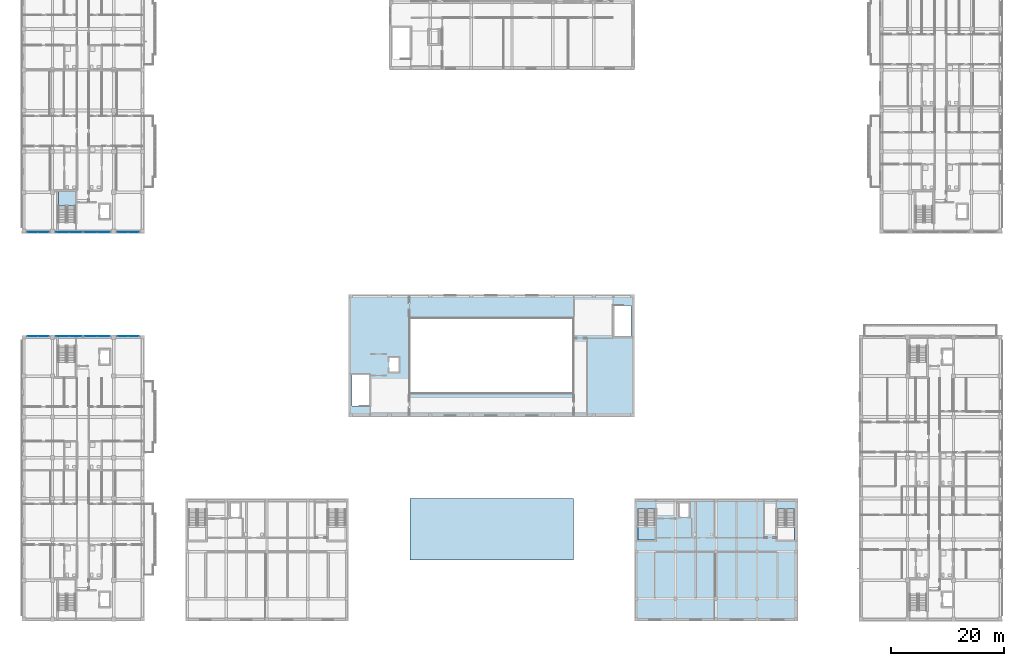
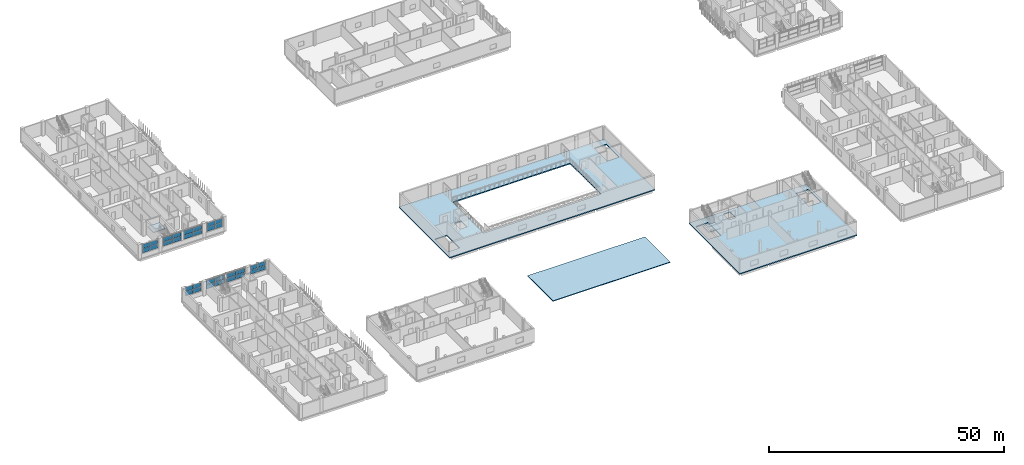
# One storey, part 29 of 73: 32 plates, 5 slabs, 10 elements without a shape of their own.
"""IFC4 building model written with IfcOpenShell, lengths in metres."""

from ifc_helpers import new_model, si_unit, derived_unit, direction, frame, origin, origin_2d, place, context, subcontext, project, spatial, polyline, rectangle, outline, extrude, material, layer, layer_set, type_object, element, aggregate, save


model = new_model("IFC4")

# Units and contexts
model_context = context("Model", 3, precision=1e-05, world=origin(), true_north=direction((0.0, 1.0)))
body_context = subcontext(model_context, "Body", "Model", "MODEL_VIEW")
ifc_project = project(units=[si_unit("LENGTHUNIT", "METRE"), si_unit("AREAUNIT", "SQUARE_METRE"), si_unit("VOLUMEUNIT", "CUBIC_METRE"), si_unit("PLANEANGLEUNIT", "RADIAN"), si_unit("MASSUNIT", "GRAM", prefix="KILO"), derived_unit("THERMALTRANSMITTANCEUNIT", [(si_unit("MASSUNIT", "GRAM", prefix="KILO"), 1), (si_unit("TIMEUNIT", "SECOND"), -3), (si_unit("THERMODYNAMICTEMPERATUREUNIT", "KELVIN"), -1)])], contexts=[model_context])

# Site, building, storey
site_placement = place(None, origin())
site = spatial("IfcSite", under=ifc_project, at=site_placement, CompositionType="ELEMENT")
building_placement = place(site_placement, origin())
building = spatial("IfcBuilding", under=site, at=building_placement, Name="Ochrekiln Boulevard Commons", CompositionType="ELEMENT")
storey_placement = place(building_placement, frame((0.0, 0.0, 4.89990234375)))
storey = spatial("IfcBuildingStorey", under=building, at=storey_placement, Name="L01", CompositionType="ELEMENT", Elevation=4.89990234375)

# Curtain wall, plates
ifc_material_1 = material(Name="Bronze-anodized extruded aluminium 6063-T6", Category="aluminium")
ifc_layer_1 = layer(ifc_material_1, 0.172119140625)
ifc_layer_set_1 = layer_set([ifc_layer_1], Name="Bronze-anodized extruded aluminium 6063-T6")
curtain_wall_type = type_object("IfcCurtainWallType", Name="CW-GABLE-A", PredefinedType="USERDEFINED", material=ifc_layer_set_1)
curtain_wall_1_placement = place(storey_placement, origin())
curtain_wall_1 = element("IfcCurtainWall", 1, at=curtain_wall_1_placement, inside=storey, type_object=curtain_wall_type, Name="Block A L01 Courtyard Glazed Gable Curtain Wall 4", ObjectType="GLAZED CURTAIN WALL", PredefinedType="USERDEFINED")
ifc_material_2 = material(Name="Spectrally selective low-E insulated glazing", Category="glass")
ifc_layer_2 = layer(ifc_material_2, 0.02392578125)
ifc_layer_set_2 = layer_set([ifc_layer_2], Name="Spectrally selective low-E insulated glazing")
plate_type_1 = type_object("IfcPlateType", Name="CWP-GLZ-1", PredefinedType="CURTAIN_PANEL", material=ifc_layer_set_2)
plate_1_placement = place(storey_placement, frame((17.788818359375, 68.56005859375, 1.17529296875), z_axis=(0.0, 0.0, 1.0), x_axis=(1.0, 0.0, 0.0)))
plate_1 = element("IfcPlate", 2, at=plate_1_placement, type_object=plate_type_1, Name="CW-01 panel 1.1", PredefinedType="CURTAIN_PANEL", context=body_context, shape_type="SweptSolid", body=[
    extrude(rectangle(XDim=1.8076171875, YDim=0.02392578125, at=origin_2d()), origin(), (0.0, 0.0, 1.0), 1.054443359375),
])
plate_2_placement = place(storey_placement, frame((17.788818359375, 68.56005859375, 2.29443359375), z_axis=(0.0, 0.0, 1.0), x_axis=(1.0, 0.0, 0.0)))
plate_2 = element("IfcPlate", 3, at=plate_2_placement, type_object=plate_type_1, Name="CW-01 panel 1.2", PredefinedType="CURTAIN_PANEL", context=body_context, shape_type="SweptSolid", body=[
    extrude(rectangle(XDim=1.8076171875, YDim=0.02392578125, at=origin_2d()), origin(), (0.0, 0.0, 1.0), 1.055419921875),
])
plate_3_placement = place(storey_placement, frame((19.6611328125, 68.56005859375, 1.17529296875), z_axis=(0.0, 0.0, 1.0), x_axis=(1.0, 0.0, 0.0)))
plate_3 = element("IfcPlate", 4, at=plate_3_placement, type_object=plate_type_1, Name="CW-01 panel 2.1", PredefinedType="CURTAIN_PANEL", context=body_context, shape_type="SweptSolid", body=[
    extrude(rectangle(XDim=1.8076171875, YDim=0.02392578125, at=origin_2d()), origin(), (0.0, 0.0, 1.0), 1.054443359375),
])
plate_4_placement = place(storey_placement, frame((19.6611328125, 68.56005859375, 2.29443359375), z_axis=(0.0, 0.0, 1.0), x_axis=(1.0, 0.0, 0.0)))
plate_4 = element("IfcPlate", 5, at=plate_4_placement, type_object=plate_type_1, Name="CW-01 panel 2.2", PredefinedType="CURTAIN_PANEL", context=body_context, shape_type="SweptSolid", body=[
    extrude(rectangle(XDim=1.8076171875, YDim=0.02392578125, at=origin_2d()), origin(), (0.0, 0.0, 1.0), 1.055419921875),
])
aggregate(curtain_wall_1, [plate_1, plate_2, plate_3, plate_4])

curtain_wall_2_placement = place(storey_placement, origin())
curtain_wall_2 = element("IfcCurtainWall", 6, at=curtain_wall_2_placement, inside=storey, type_object=curtain_wall_type, Name="Block D L01 Courtyard Glazed Gable Curtain Wall 4", ObjectType="GLAZED CURTAIN WALL", PredefinedType="USERDEFINED")
plate_5_placement = place(storey_placement, frame((17.788818359375, 50.217529296875, 1.17529296875), z_axis=(0.0, 0.0, 1.0), x_axis=(1.0, 0.0, 0.0)))
plate_5 = element("IfcPlate", 7, at=plate_5_placement, type_object=plate_type_1, Name="CW-01 panel 1.1", PredefinedType="CURTAIN_PANEL", context=body_context, shape_type="SweptSolid", body=[
    extrude(rectangle(XDim=1.8076171875, YDim=0.02392578125, at=origin_2d()), origin(), (0.0, 0.0, 1.0), 1.054443359375),
])
plate_6_placement = place(storey_placement, frame((17.788818359375, 50.217529296875, 2.29443359375), z_axis=(0.0, 0.0, 1.0), x_axis=(1.0, 0.0, 0.0)))
plate_6 = element("IfcPlate", 8, at=plate_6_placement, type_object=plate_type_1, Name="CW-01 panel 1.2", PredefinedType="CURTAIN_PANEL", context=body_context, shape_type="SweptSolid", body=[
    extrude(rectangle(XDim=1.8076171875, YDim=0.02392578125, at=origin_2d()), origin(), (0.0, 0.0, 1.0), 1.055419921875),
])
plate_7_placement = place(storey_placement, frame((19.6611328125, 50.217529296875, 1.17529296875), z_axis=(0.0, 0.0, 1.0), x_axis=(1.0, 0.0, 0.0)))
plate_7 = element("IfcPlate", 9, at=plate_7_placement, type_object=plate_type_1, Name="CW-01 panel 2.1", PredefinedType="CURTAIN_PANEL", context=body_context, shape_type="SweptSolid", body=[
    extrude(rectangle(XDim=1.8076171875, YDim=0.02392578125, at=origin_2d()), origin(), (0.0, 0.0, 1.0), 1.054443359375),
])
plate_8_placement = place(storey_placement, frame((19.6611328125, 50.217529296875, 2.29443359375), z_axis=(0.0, 0.0, 1.0), x_axis=(1.0, 0.0, 0.0)))
plate_8 = element("IfcPlate", 10, at=plate_8_placement, type_object=plate_type_1, Name="CW-01 panel 2.2", PredefinedType="CURTAIN_PANEL", context=body_context, shape_type="SweptSolid", body=[
    extrude(rectangle(XDim=1.8076171875, YDim=0.02392578125, at=origin_2d()), origin(), (0.0, 0.0, 1.0), 1.055419921875),
])
aggregate(curtain_wall_2, [plate_5, plate_6, plate_7, plate_8])

curtain_wall_3_placement = place(storey_placement, origin())
curtain_wall_3 = element("IfcCurtainWall", 11, at=curtain_wall_3_placement, inside=storey, type_object=curtain_wall_type, Name="Block A L01 Courtyard Glazed Gable Curtain Wall 1", ObjectType="GLAZED CURTAIN WALL", PredefinedType="USERDEFINED")
ifc_layer_3 = layer(ifc_material_2, 0.030029296875)
ifc_layer_set_3 = layer_set([ifc_layer_3], Name="Spectrally selective low-E insulated glazing")
plate_type_2 = type_object("IfcPlateType", Name="CWP-GLZ-2", PredefinedType="CURTAIN_PANEL", material=ifc_layer_set_3)
plate_9_placement = place(storey_placement, frame((1.9375, 68.56005859375, 1.170166015625), z_axis=(0.0, 0.0, 1.0), x_axis=(1.0, 0.0, 0.0)))
plate_9 = element("IfcPlate", 12, at=plate_9_placement, type_object=plate_type_2, Name="CW-01 panel 1.1", PredefinedType="CURTAIN_PANEL", context=body_context, shape_type="SweptSolid", body=[
    extrude(rectangle(XDim=1.81494140625, YDim=0.030029296875, at=origin_2d()), origin(), (0.0, 0.0, 1.0), 1.06201171875),
])
plate_10_placement = place(storey_placement, frame((1.9375, 68.56005859375, 2.2919921875), z_axis=(0.0, 0.0, 1.0), x_axis=(1.0, 0.0, 0.0)))
plate_10 = element("IfcPlate", 13, at=plate_10_placement, type_object=plate_type_2, Name="CW-01 panel 1.2", PredefinedType="CURTAIN_PANEL", context=body_context, shape_type="SweptSolid", body=[
    extrude(rectangle(XDim=1.81494140625, YDim=0.030029296875, at=origin_2d()), origin(), (0.0, 0.0, 1.0), 1.06298828125),
])
plate_11_placement = place(storey_placement, frame((3.8125, 68.56005859375, 1.170166015625), z_axis=(0.0, 0.0, 1.0), x_axis=(1.0, 0.0, 0.0)))
plate_11 = element("IfcPlate", 14, at=plate_11_placement, type_object=plate_type_2, Name="CW-01 panel 2.1", PredefinedType="CURTAIN_PANEL", context=body_context, shape_type="SweptSolid", body=[
    extrude(rectangle(XDim=1.81494140625, YDim=0.030029296875, at=origin_2d()), origin(), (0.0, 0.0, 1.0), 1.06201171875),
])
plate_12_placement = place(storey_placement, frame((3.8125, 68.56005859375, 2.2919921875), z_axis=(0.0, 0.0, 1.0), x_axis=(1.0, 0.0, 0.0)))
plate_12 = element("IfcPlate", 15, at=plate_12_placement, type_object=plate_type_2, Name="CW-01 panel 2.2", PredefinedType="CURTAIN_PANEL", context=body_context, shape_type="SweptSolid", body=[
    extrude(rectangle(XDim=1.81494140625, YDim=0.030029296875, at=origin_2d()), origin(), (0.0, 0.0, 1.0), 1.06298828125),
])
aggregate(curtain_wall_3, [plate_9, plate_10, plate_11, plate_12])

curtain_wall_4_placement = place(storey_placement, origin())
curtain_wall_4 = element("IfcCurtainWall", 16, at=curtain_wall_4_placement, inside=storey, type_object=curtain_wall_type, Name="Block D L01 Courtyard Glazed Gable Curtain Wall 1", ObjectType="GLAZED CURTAIN WALL", PredefinedType="USERDEFINED")
plate_13_placement = place(storey_placement, frame((1.938720703125, 50.217529296875, 1.17529296875), z_axis=(0.0, 0.0, 1.0), x_axis=(1.0, 0.0, 0.0)))
plate_13 = element("IfcPlate", 17, at=plate_13_placement, type_object=plate_type_2, Name="CW-01 panel 1.1", PredefinedType="CURTAIN_PANEL", context=body_context, shape_type="SweptSolid", body=[
    extrude(rectangle(XDim=1.8076171875, YDim=0.030029296875, at=origin_2d()), origin(), (0.0, 0.0, 1.0), 1.054443359375),
])
plate_14_placement = place(storey_placement, frame((1.938720703125, 50.217529296875, 2.29443359375), z_axis=(0.0, 0.0, 1.0), x_axis=(1.0, 0.0, 0.0)))
plate_14 = element("IfcPlate", 18, at=plate_14_placement, type_object=plate_type_2, Name="CW-01 panel 1.2", PredefinedType="CURTAIN_PANEL", context=body_context, shape_type="SweptSolid", body=[
    extrude(rectangle(XDim=1.8076171875, YDim=0.030029296875, at=origin_2d()), origin(), (0.0, 0.0, 1.0), 1.055419921875),
])
plate_15_placement = place(storey_placement, frame((3.811279296875, 50.217529296875, 1.17529296875), z_axis=(0.0, 0.0, 1.0), x_axis=(1.0, 0.0, 0.0)))
plate_15 = element("IfcPlate", 19, at=plate_15_placement, type_object=plate_type_2, Name="CW-01 panel 2.1", PredefinedType="CURTAIN_PANEL", context=body_context, shape_type="SweptSolid", body=[
    extrude(rectangle(XDim=1.8076171875, YDim=0.030029296875, at=origin_2d()), origin(), (0.0, 0.0, 1.0), 1.054443359375),
])
plate_16_placement = place(storey_placement, frame((3.811279296875, 50.217529296875, 2.29443359375), z_axis=(0.0, 0.0, 1.0), x_axis=(1.0, 0.0, 0.0)))
plate_16 = element("IfcPlate", 20, at=plate_16_placement, type_object=plate_type_2, Name="CW-01 panel 2.2", PredefinedType="CURTAIN_PANEL", context=body_context, shape_type="SweptSolid", body=[
    extrude(rectangle(XDim=1.8076171875, YDim=0.030029296875, at=origin_2d()), origin(), (0.0, 0.0, 1.0), 1.055419921875),
])
aggregate(curtain_wall_4, [plate_13, plate_14, plate_15, plate_16])

curtain_wall_5_placement = place(storey_placement, origin())
curtain_wall_5 = element("IfcCurtainWall", 21, at=curtain_wall_5_placement, inside=storey, type_object=curtain_wall_type, Name="Block A L01 Courtyard Glazed Gable Curtain Wall 2", ObjectType="GLAZED CURTAIN WALL", PredefinedType="USERDEFINED")
ifc_layer_4 = layer(ifc_material_2, 0.035888671875)
ifc_layer_set_4 = layer_set([ifc_layer_4], Name="Spectrally selective low-E insulated glazing")
plate_type_3 = type_object("IfcPlateType", Name="CWP-GLZ-3", PredefinedType="CURTAIN_PANEL", material=ifc_layer_set_4)
plate_17_placement = place(storey_placement, frame((7.18115234375, 68.56005859375, 1.17529296875), z_axis=(0.0, 0.0, 1.0), x_axis=(1.0, 0.0, 0.0)))
plate_17 = element("IfcPlate", 22, at=plate_17_placement, type_object=plate_type_3, Name="CW-01 panel 1.1", PredefinedType="CURTAIN_PANEL", context=body_context, shape_type="SweptSolid", body=[
    extrude(rectangle(XDim=2.1923828125, YDim=0.035888671875, at=origin_2d()), origin(), (0.0, 0.0, 1.0), 1.054443359375),
])
plate_18_placement = place(storey_placement, frame((7.18115234375, 68.56005859375, 2.29443359375), z_axis=(0.0, 0.0, 1.0), x_axis=(1.0, 0.0, 0.0)))
plate_18 = element("IfcPlate", 23, at=plate_18_placement, type_object=plate_type_3, Name="CW-01 panel 1.2", PredefinedType="CURTAIN_PANEL", context=body_context, shape_type="SweptSolid", body=[
    extrude(rectangle(XDim=2.1923828125, YDim=0.035888671875, at=origin_2d()), origin(), (0.0, 0.0, 1.0), 1.055419921875),
])
plate_19_placement = place(storey_placement, frame((9.438720703125, 68.56005859375, 1.17529296875), z_axis=(0.0, 0.0, 1.0), x_axis=(1.0, 0.0, 0.0)))
plate_19 = element("IfcPlate", 24, at=plate_19_placement, type_object=plate_type_3, Name="CW-01 panel 2.1", PredefinedType="CURTAIN_PANEL", context=body_context, shape_type="SweptSolid", body=[
    extrude(rectangle(XDim=2.1923828125, YDim=0.035888671875, at=origin_2d()), origin(), (0.0, 0.0, 1.0), 1.054443359375),
])
plate_20_placement = place(storey_placement, frame((9.438720703125, 68.56005859375, 2.29443359375), z_axis=(0.0, 0.0, 1.0), x_axis=(1.0, 0.0, 0.0)))
plate_20 = element("IfcPlate", 25, at=plate_20_placement, type_object=plate_type_3, Name="CW-01 panel 2.2", PredefinedType="CURTAIN_PANEL", context=body_context, shape_type="SweptSolid", body=[
    extrude(rectangle(XDim=2.1923828125, YDim=0.035888671875, at=origin_2d()), origin(), (0.0, 0.0, 1.0), 1.055419921875),
])
aggregate(curtain_wall_5, [plate_17, plate_18, plate_19, plate_20])

curtain_wall_6_placement = place(storey_placement, origin())
curtain_wall_6 = element("IfcCurtainWall", 26, at=curtain_wall_6_placement, inside=storey, type_object=curtain_wall_type, Name="Block D L01 Courtyard Glazed Gable Curtain Wall 2", ObjectType="GLAZED CURTAIN WALL", PredefinedType="USERDEFINED")
plate_21_placement = place(storey_placement, frame((7.18115234375, 50.217529296875, 1.17529296875), z_axis=(0.0, 0.0, 1.0), x_axis=(1.0, 0.0, 0.0)))
plate_21 = element("IfcPlate", 27, at=plate_21_placement, type_object=plate_type_3, Name="CW-01 panel 1.1", PredefinedType="CURTAIN_PANEL", context=body_context, shape_type="SweptSolid", body=[
    extrude(rectangle(XDim=2.1923828125, YDim=0.035888671875, at=origin_2d()), origin(), (0.0, 0.0, 1.0), 1.054443359375),
])
plate_22_placement = place(storey_placement, frame((7.18115234375, 50.217529296875, 2.29443359375), z_axis=(0.0, 0.0, 1.0), x_axis=(1.0, 0.0, 0.0)))
plate_22 = element("IfcPlate", 28, at=plate_22_placement, type_object=plate_type_3, Name="CW-01 panel 1.2", PredefinedType="CURTAIN_PANEL", context=body_context, shape_type="SweptSolid", body=[
    extrude(rectangle(XDim=2.1923828125, YDim=0.035888671875, at=origin_2d()), origin(), (0.0, 0.0, 1.0), 1.055419921875),
])
plate_23_placement = place(storey_placement, frame((9.438720703125, 50.217529296875, 1.17529296875), z_axis=(0.0, 0.0, 1.0), x_axis=(1.0, 0.0, 0.0)))
plate_23 = element("IfcPlate", 29, at=plate_23_placement, type_object=plate_type_3, Name="CW-01 panel 2.1", PredefinedType="CURTAIN_PANEL", context=body_context, shape_type="SweptSolid", body=[
    extrude(rectangle(XDim=2.1923828125, YDim=0.035888671875, at=origin_2d()), origin(), (0.0, 0.0, 1.0), 1.054443359375),
])
plate_24_placement = place(storey_placement, frame((9.438720703125, 50.217529296875, 2.29443359375), z_axis=(0.0, 0.0, 1.0), x_axis=(1.0, 0.0, 0.0)))
plate_24 = element("IfcPlate", 30, at=plate_24_placement, type_object=plate_type_3, Name="CW-01 panel 2.2", PredefinedType="CURTAIN_PANEL", context=body_context, shape_type="SweptSolid", body=[
    extrude(rectangle(XDim=2.1923828125, YDim=0.035888671875, at=origin_2d()), origin(), (0.0, 0.0, 1.0), 1.055419921875),
])
aggregate(curtain_wall_6, [plate_21, plate_22, plate_23, plate_24])

curtain_wall_7_placement = place(storey_placement, origin())
curtain_wall_7 = element("IfcCurtainWall", 31, at=curtain_wall_7_placement, inside=storey, type_object=curtain_wall_type, Name="Block A L01 Courtyard Glazed Gable Curtain Wall 3", ObjectType="GLAZED CURTAIN WALL", PredefinedType="USERDEFINED")
ifc_layer_5 = layer(ifc_material_2, 0.0419921875)
ifc_layer_set_5 = layer_set([ifc_layer_5], Name="Spectrally selective low-E insulated glazing")
plate_type_4 = type_object("IfcPlateType", Name="CWP-GLZ-4", PredefinedType="CURTAIN_PANEL", material=ifc_layer_set_5)
plate_25_placement = place(storey_placement, frame((12.159912109375, 68.56005859375, 1.170166015625), z_axis=(0.0, 0.0, 1.0), x_axis=(1.0, 0.0, 0.0)))
plate_25 = element("IfcPlate", 32, at=plate_25_placement, type_object=plate_type_4, Name="CW-01 panel 1.1", PredefinedType="CURTAIN_PANEL", context=body_context, shape_type="SweptSolid", body=[
    extrude(rectangle(XDim=2.199951171875, YDim=0.0419921875, at=origin_2d()), origin(), (0.0, 0.0, 1.0), 1.06201171875),
])
plate_26_placement = place(storey_placement, frame((12.159912109375, 68.56005859375, 2.2919921875), z_axis=(0.0, 0.0, 1.0), x_axis=(1.0, 0.0, 0.0)))
plate_26 = element("IfcPlate", 33, at=plate_26_placement, type_object=plate_type_4, Name="CW-01 panel 1.2", PredefinedType="CURTAIN_PANEL", context=body_context, shape_type="SweptSolid", body=[
    extrude(rectangle(XDim=2.199951171875, YDim=0.0419921875, at=origin_2d()), origin(), (0.0, 0.0, 1.0), 1.06298828125),
])
plate_27_placement = place(storey_placement, frame((14.419921875, 68.56005859375, 1.170166015625), z_axis=(0.0, 0.0, 1.0), x_axis=(1.0, 0.0, 0.0)))
plate_27 = element("IfcPlate", 34, at=plate_27_placement, type_object=plate_type_4, Name="CW-01 panel 2.1", PredefinedType="CURTAIN_PANEL", context=body_context, shape_type="SweptSolid", body=[
    extrude(rectangle(XDim=2.199951171875, YDim=0.0419921875, at=origin_2d()), origin(), (0.0, 0.0, 1.0), 1.06201171875),
])
plate_28_placement = place(storey_placement, frame((14.419921875, 68.56005859375, 2.2919921875), z_axis=(0.0, 0.0, 1.0), x_axis=(1.0, 0.0, 0.0)))
plate_28 = element("IfcPlate", 35, at=plate_28_placement, type_object=plate_type_4, Name="CW-01 panel 2.2", PredefinedType="CURTAIN_PANEL", context=body_context, shape_type="SweptSolid", body=[
    extrude(rectangle(XDim=2.199951171875, YDim=0.0419921875, at=origin_2d()), origin(), (0.0, 0.0, 1.0), 1.06298828125),
])
aggregate(curtain_wall_7, [plate_25, plate_26, plate_27, plate_28])

curtain_wall_8_placement = place(storey_placement, origin())
curtain_wall_8 = element("IfcCurtainWall", 36, at=curtain_wall_8_placement, inside=storey, type_object=curtain_wall_type, Name="Block D L01 Courtyard Glazed Gable Curtain Wall 3", ObjectType="GLAZED CURTAIN WALL", PredefinedType="USERDEFINED")
plate_29_placement = place(storey_placement, frame((12.1611328125, 50.217529296875, 1.17529296875), z_axis=(0.0, 0.0, 1.0), x_axis=(1.0, 0.0, 0.0)))
plate_29 = element("IfcPlate", 37, at=plate_29_placement, type_object=plate_type_4, Name="CW-01 panel 1.1", PredefinedType="CURTAIN_PANEL", context=body_context, shape_type="SweptSolid", body=[
    extrude(rectangle(XDim=2.1923828125, YDim=0.0419921875, at=origin_2d()), origin(), (0.0, 0.0, 1.0), 1.054443359375),
])
plate_30_placement = place(storey_placement, frame((12.1611328125, 50.217529296875, 2.29443359375), z_axis=(0.0, 0.0, 1.0), x_axis=(1.0, 0.0, 0.0)))
plate_30 = element("IfcPlate", 38, at=plate_30_placement, type_object=plate_type_4, Name="CW-01 panel 1.2", PredefinedType="CURTAIN_PANEL", context=body_context, shape_type="SweptSolid", body=[
    extrude(rectangle(XDim=2.1923828125, YDim=0.0419921875, at=origin_2d()), origin(), (0.0, 0.0, 1.0), 1.055419921875),
])
plate_31_placement = place(storey_placement, frame((14.418701171875, 50.217529296875, 1.17529296875), z_axis=(0.0, 0.0, 1.0), x_axis=(1.0, 0.0, 0.0)))
plate_31 = element("IfcPlate", 39, at=plate_31_placement, type_object=plate_type_4, Name="CW-01 panel 2.1", PredefinedType="CURTAIN_PANEL", context=body_context, shape_type="SweptSolid", body=[
    extrude(rectangle(XDim=2.1923828125, YDim=0.0419921875, at=origin_2d()), origin(), (0.0, 0.0, 1.0), 1.054443359375),
])
plate_32_placement = place(storey_placement, frame((14.418701171875, 50.217529296875, 2.29443359375), z_axis=(0.0, 0.0, 1.0), x_axis=(1.0, 0.0, 0.0)))
plate_32 = element("IfcPlate", 40, at=plate_32_placement, type_object=plate_type_4, Name="CW-01 panel 2.2", PredefinedType="CURTAIN_PANEL", context=body_context, shape_type="SweptSolid", body=[
    extrude(rectangle(XDim=2.1923828125, YDim=0.0419921875, at=origin_2d()), origin(), (0.0, 0.0, 1.0), 1.055419921875),
])
aggregate(curtain_wall_8, [plate_29, plate_30, plate_31, plate_32])

# Slabs
ifc_material_3 = material(Name="Concrete C35/45", Category="concrete")
ifc_layer_6 = layer(ifc_material_3, 0.27490234375)
ifc_layer_set_6 = layer_set([ifc_layer_6], Name="Concrete C35/45")
slab_type_1 = type_object("IfcSlabType", Name="SLB-ARC-275", PredefinedType="FLOOR", material=ifc_layer_set_6)
slab_1_placement = place(storey_placement, frame((0.0, 0.0, -0.27490234375)))
element("IfcSlab", 41, at=slab_1_placement, inside=storey, type_object=slab_type_1, Name="East Boulevard Arcade L01 Floor Slab", PredefinedType="FLOOR", context=body_context, shape_type="SweptSolid", body=[
    extrude(outline(polyline([(108.0, 0.0), (136.800048828125, 0.0), (136.800048828125, 21.60009765625), (108.0, 21.60009765625), (108.0, 0.0)]), holes=[polyline([(108.60009765625, 19.7294921875), (108.60009765625, 14.280029296875), (111.60009765625, 14.280029296875), (111.60009765625, 19.7294921875), (108.60009765625, 19.7294921875)]), polyline([(133.199951171875, 19.7294921875), (133.199951171875, 14.280029296875), (136.199951171875, 14.280029296875), (136.199951171875, 19.7294921875), (133.199951171875, 19.7294921875)]), polyline([(115.949951171875, 18.35009765625), (117.64990234375, 18.35009765625), (117.64990234375, 20.85009765625), (115.949951171875, 20.85009765625), (115.949951171875, 18.35009765625)])]), origin(), (0.0, 0.0, 1.0), 0.27490234375),
])
ifc_layer_7 = layer(ifc_material_3, 0.179931640625)
ifc_layer_set_7 = layer_set([ifc_layer_7], Name="Concrete C35/45")
slab_type_2 = type_object("IfcSlabType", Name="SLB-CAN-180", PredefinedType="ROOF", material=ifc_layer_set_7)
slab_2_placement = place(storey_placement, frame((0.0, 0.0, 0.02001953125)))
element("IfcSlab", 42, at=slab_2_placement, inside=storey, type_object=slab_type_2, Name="South Boulevard Forecourt Canopy Roof Deck", PredefinedType="ROOF", context=body_context, shape_type="SweptSolid", body=[
    extrude(outline(polyline([(68.39990234375, 10.800048828125), (97.199951171875, 10.800048828125), (97.199951171875, 21.60009765625), (68.39990234375, 21.60009765625), (68.39990234375, 10.800048828125)])), origin(), (0.0, 0.0, 1.0), 0.18017578125),
])
ifc_layer_8 = layer(ifc_material_3, 0.27001953125)
ifc_layer_set_8 = layer_set([ifc_layer_8], Name="Concrete C35/45")
slab_type_3 = type_object("IfcSlabType", Name="SLB-CIV-270", PredefinedType="FLOOR", material=ifc_layer_set_8)
slab_3_placement = place(storey_placement, frame((0.0, 0.0, -0.27001953125)))
element("IfcSlab", 43, at=slab_3_placement, inside=storey, type_object=slab_type_3, Name="Community Hall L01 Mezzanine Craft Gallery Slab", PredefinedType="FLOOR", context=body_context, shape_type="SweptSolid", body=[
    extrude(outline(polyline([(57.60009765625, 36.0), (108.0, 36.0), (108.0, 57.60009765625), (57.60009765625, 57.60009765625), (57.60009765625, 36.0)]), holes=[polyline([(61.199951171875, 37.950439453125), (61.199951171875, 43.39990234375), (58.199951171875, 43.39990234375), (58.199951171875, 37.950439453125), (61.199951171875, 37.950439453125)]), polyline([(104.39990234375, 55.6494140625), (104.39990234375, 50.199951171875), (107.39990234375, 50.199951171875), (107.39990234375, 55.6494140625), (104.39990234375, 55.6494140625)]), polyline([(64.75, 43.949951171875), (66.449951171875, 43.949951171875), (66.449951171875, 46.449951171875), (64.75, 46.449951171875), (64.75, 43.949951171875)]), polyline([(68.39990234375, 40.199951171875), (97.199951171875, 40.199951171875), (97.199951171875, 53.39990234375), (68.39990234375, 53.39990234375), (68.39990234375, 40.199951171875)])]), origin(), (0.0, 0.0, 1.0), 0.27001953125),
])

# Stair, slab
stair_type = type_object("IfcStairType", Name="STR-DL-368", PredefinedType="TWO_STRAIGHT_RUN_STAIR", material=ifc_material_3)
stair_1_placement = place(storey_placement, origin())
stair_1 = element("IfcStair", 44, at=stair_1_placement, inside=storey, type_object=stair_type, Name="L01 Enclosed Exit Stair ST-A1", PredefinedType="TWO_STRAIGHT_RUN_STAIR")
ifc_layer_9 = layer(ifc_material_3, 0.199951171875)
ifc_layer_set_9 = layer_set([ifc_layer_9], Name="Concrete C35/45")
slab_type_4 = type_object("IfcSlabType", Name="SLB-LND-200", PredefinedType="LANDING", material=ifc_layer_set_9)
slab_4_placement = place(storey_placement, frame((0.0, 0.0, 1.6376953125)))
slab_4 = element("IfcSlab", 45, at=slab_4_placement, type_object=slab_type_4, Name="ST-A1 landing 1", PredefinedType="LANDING", context=body_context, shape_type="SweptSolid", body=[
    extrude(outline(polyline([(9.39990234375, 73.169921875), (9.39990234375, 75.719970703125), (6.39990234375, 75.719970703125), (6.39990234375, 73.169921875), (9.39990234375, 73.169921875)])), origin(), (0.0, 0.0, 1.0), 0.199951171875),
])
aggregate(stair_1, [slab_4])

stair_2_placement = place(storey_placement, origin())
stair_2 = element("IfcStair", 46, at=stair_2_placement, inside=storey, type_object=stair_type, Name="L01 Enclosed Exit Stair ST-E1", PredefinedType="TWO_STRAIGHT_RUN_STAIR")
slab_5_placement = place(storey_placement, frame((0.0, 0.0, 1.6376953125)))
slab_5 = element("IfcSlab", 47, at=slab_5_placement, type_object=slab_type_4, Name="ST-E1 landing 1", PredefinedType="LANDING", context=body_context, shape_type="SweptSolid", body=[
    extrude(outline(polyline([(108.60009765625, 16.830078125), (108.60009765625, 14.280029296875), (111.60009765625, 14.280029296875), (111.60009765625, 16.830078125), (108.60009765625, 16.830078125)])), origin(), (0.0, 0.0, 1.0), 0.199951171875),
])
aggregate(stair_2, [slab_5])

save(model, "model.ifc")
